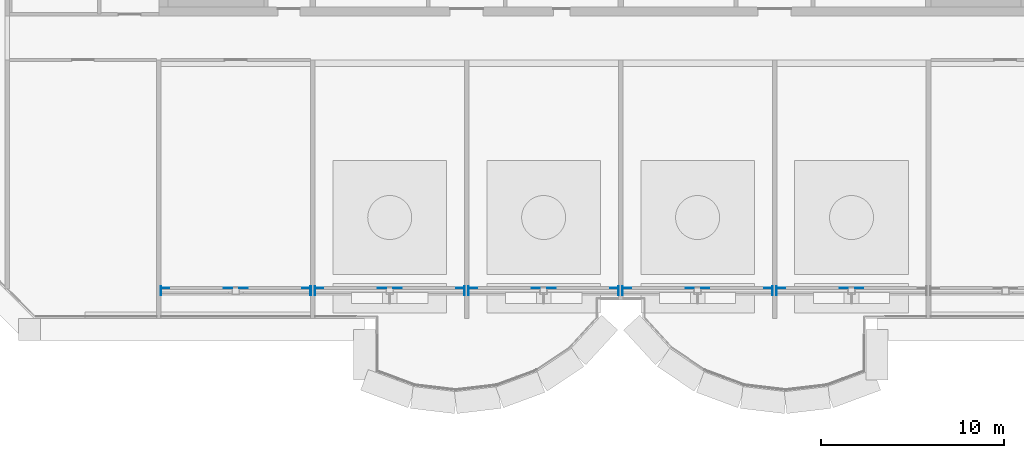
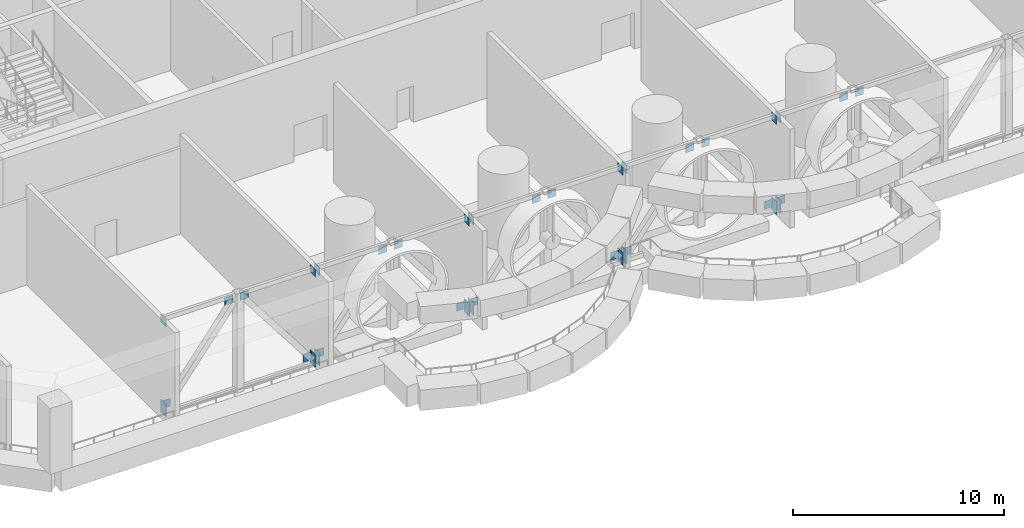
# One storey, part 6 of 15: 37 discrete accessories.
"""IFC4 building model written with IfcOpenShell, lengths in metres."""

from ifc_helpers import new_model, si_unit, direction, frame, origin, origin_2d, place, context, subcontext, project, spatial, rectangle, extrude, source, transform, mapped, material, layer, layer_set, type_object, element, save


model = new_model("IFC4")

# Units and contexts
model_context = context("Model", 3, precision=1e-05, world=origin(), true_north=direction((0.0, 1.0)))
body_context = subcontext(model_context, "Body", "Model", "MODEL_VIEW")
ifc_project = project(units=[si_unit("LENGTHUNIT", "METRE"), si_unit("AREAUNIT", "SQUARE_METRE"), si_unit("VOLUMEUNIT", "CUBIC_METRE"), si_unit("PLANEANGLEUNIT", "RADIAN"), si_unit("MASSUNIT", "GRAM", prefix="KILO")], contexts=[model_context])

# Site, building, storey
site_placement = place(None, origin())
site = spatial("IfcSite", under=ifc_project, at=site_placement, CompositionType="ELEMENT")
building_placement = place(site_placement, origin())
building = spatial("IfcBuilding", under=site, at=building_placement, Name="Vanashikhar Sky Hotel", CompositionType="ELEMENT")
storey_placement = place(building_placement, frame((0.0, 0.0, 317.699951171875)))
storey = spatial("IfcBuildingStorey", under=building, at=storey_placement, Name="L76", CompositionType="ELEMENT", Elevation=317.699951171875)

# Discrete accessories
ifc_material = material(Name="Steel S355", Category="steel")
ifc_layer_1 = layer(ifc_material, 0.030029296875)
ifc_layer_set_1 = layer_set([ifc_layer_1], Name="Cast-in anchor plate 500x750x30")
discrete_accessory_type_1 = type_object("IfcDiscreteAccessoryType", Name="Cast-in anchor plate 500x750x30", PredefinedType="ANCHORPLATE", material=ifc_layer_set_1)
shared_shape_1 = source(origin(), body_context, "Body", "SweptSolid", [
    extrude(rectangle(XDim=0.030029296875, YDim=0.5, at=origin_2d()), origin(), (0.0, 0.0, 1.0), 0.75),
])
for number, where, z_axis, x_axis, name in (
    (1, (25.31005859375, 7.0, 0.025146484375), (0.0, 0.0, 1.0), (1.0, 0.0, 0.0), "EP-L76-F01AB"),
    (2, (33.489990234375, 7.0, 0.025146484375), (0.0, 0.0, 1.0), (1.0, 0.0, 0.0), "EP-L76-F01BB"),
    (3, (33.7099609375, 7.0, 0.025146484375), (0.0, 0.0, 1.0), (1.0, 0.0, 0.0), "EP-L76-F02AB"),
    (4, (41.889892578125, 7.0, 0.025146484375), (0.0, 0.0, 1.0), (1.0, 0.0, 0.0), "EP-L76-F02BB"),
    (5, (42.110107421875, 7.0, 0.025146484375), (0.0, 0.0, 1.0), (1.0, 0.0, 0.0), "EP-L76-F03AB"),
    (6, (50.2900390625, 7.0, 0.025146484375), (0.0, 0.0, 1.0), (1.0, 0.0, 0.0), "EP-L76-F03BB"),
    (7, (50.510009765625, 7.0, 0.025146484375), (0.0, 0.0, 1.0), (1.0, 0.0, 0.0), "EP-L76-F04AB"),
    (8, (58.68994140625, 7.0, 0.025146484375), (0.0, 0.0, 1.0), (1.0, 0.0, 0.0), "EP-L76-F04BB"),
    (9, (58.909912109375, 7.0, 0.025146484375), (0.0, 0.0, 1.0), (1.0, 0.0, 0.0), "EP-L76-F05AB"),
):
    element("IfcDiscreteAccessory", number, at=place(storey_placement, frame(where, z_axis=z_axis, x_axis=x_axis)), inside=storey, type_object=discrete_accessory_type_1, Name=name, PredefinedType="ANCHORPLATE", context=body_context, shape_type="MappedRepresentation", body=[
        mapped(shared_shape_1, transform((0.0, 0.0, 0.0), scale=1.0)),
    ])
ifc_layer_2 = layer(ifc_material, 0.030029296875)
ifc_layer_set_2 = layer_set([ifc_layer_2], Name="Cast-in anchor plate 500x450x30")
discrete_accessory_type_2 = type_object("IfcDiscreteAccessoryType", Name="Cast-in anchor plate 500x450x30", PredefinedType="ANCHORPLATE", material=ifc_layer_set_2)
shared_shape_2 = source(origin(), body_context, "Body", "SweptSolid", [
    extrude(rectangle(XDim=0.030029296875, YDim=0.5, at=origin_2d()), origin(), (0.0, 0.0, 1.0), 0.449951171875),
])
for number, where, z_axis, x_axis, name in (
    (10, (25.31005859375, 7.0, 5.2451171875), (0.0, 0.0, 1.0), (1.0, 0.0, 0.0), "EP-L76-F01AT"),
    (11, (33.489990234375, 7.0, 5.2451171875), (0.0, 0.0, 1.0), (1.0, 0.0, 0.0), "EP-L76-F01BT"),
    (12, (33.7099609375, 7.0, 5.2451171875), (0.0, 0.0, 1.0), (1.0, 0.0, 0.0), "EP-L76-F02AT"),
    (13, (41.889892578125, 7.0, 5.2451171875), (0.0, 0.0, 1.0), (1.0, 0.0, 0.0), "EP-L76-F02BT"),
    (14, (42.110107421875, 7.0, 5.2451171875), (0.0, 0.0, 1.0), (1.0, 0.0, 0.0), "EP-L76-F03AT"),
    (15, (50.2900390625, 7.0, 5.2451171875), (0.0, 0.0, 1.0), (1.0, 0.0, 0.0), "EP-L76-F03BT"),
    (16, (50.510009765625, 7.0, 5.2451171875), (0.0, 0.0, 1.0), (1.0, 0.0, 0.0), "EP-L76-F04AT"),
    (17, (58.68994140625, 7.0, 5.2451171875), (0.0, 0.0, 1.0), (1.0, 0.0, 0.0), "EP-L76-F04BT"),
    (18, (58.909912109375, 7.0, 5.2451171875), (0.0, 0.0, 1.0), (1.0, 0.0, 0.0), "EP-L76-F05AT"),
):
    element("IfcDiscreteAccessory", number, at=place(storey_placement, frame(where, z_axis=z_axis, x_axis=x_axis)), inside=storey, type_object=discrete_accessory_type_2, Name=name, PredefinedType="ANCHORPLATE", context=body_context, shape_type="MappedRepresentation", body=[
        mapped(shared_shape_2, transform((0.0, 0.0, 0.0), scale=1.0)),
    ])
ifc_layer_3 = layer(ifc_material, 0.02001953125)
ifc_layer_set_3 = layer_set([ifc_layer_3], Name="Truss gusset plate 450x450x20")
discrete_accessory_type_3 = type_object("IfcDiscreteAccessoryType", Name="Truss gusset plate 450x450x20", PredefinedType="BRACKET", material=ifc_layer_set_3)
shared_shape_3 = source(origin(), body_context, "Body", "SweptSolid", [
    extrude(rectangle(XDim=0.449951171875, YDim=0.02001953125, at=origin_2d()), origin(), (0.0, 0.0, 1.0), 0.449951171875),
])
for number, where, z_axis, x_axis, name in (
    (19, (25.550048828125, 7.159912109375, 0.25), (0.0, 0.0, 1.0), (1.0, 0.0, 0.0), "GS-L76-F01LA"),
    (20, (28.97509765625, 7.159912109375, 5.02001953125), (0.0, 0.0, 1.0), (1.0, 0.0, 0.0), "GS-L76-F01LB"),
    (21, (33.25, 7.159912109375, 0.25), (0.0, 0.0, 1.0), (1.0, 0.0, 0.0), "GS-L76-F01RA"),
    (22, (29.824951171875, 7.159912109375, 5.02001953125), (0.0, 0.0, 1.0), (1.0, 0.0, 0.0), "GS-L76-F01RB"),
    (23, (33.949951171875, 7.159912109375, 0.25), (0.0, 0.0, 1.0), (1.0, 0.0, 0.0), "GS-L76-F02LA"),
    (24, (37.375, 7.159912109375, 5.02001953125), (0.0, 0.0, 1.0), (1.0, 0.0, 0.0), "GS-L76-F02LB"),
    (25, (41.64990234375, 7.159912109375, 0.25), (0.0, 0.0, 1.0), (1.0, 0.0, 0.0), "GS-L76-F02RA"),
    (26, (38.22509765625, 7.159912109375, 5.02001953125), (0.0, 0.0, 1.0), (1.0, 0.0, 0.0), "GS-L76-F02RB"),
    (27, (42.35009765625, 7.159912109375, 0.25), (0.0, 0.0, 1.0), (1.0, 0.0, 0.0), "GS-L76-F03LA"),
    (28, (45.77490234375, 7.159912109375, 5.02001953125), (0.0, 0.0, 1.0), (1.0, 0.0, 0.0), "GS-L76-F03LB"),
    (29, (50.050048828125, 7.159912109375, 0.25), (0.0, 0.0, 1.0), (1.0, 0.0, 0.0), "GS-L76-F03RA"),
    (30, (46.625, 7.159912109375, 5.02001953125), (0.0, 0.0, 1.0), (1.0, 0.0, 0.0), "GS-L76-F03RB"),
    (31, (50.75, 7.159912109375, 0.25), (0.0, 0.0, 1.0), (1.0, 0.0, 0.0), "GS-L76-F04LA"),
    (32, (54.175048828125, 7.159912109375, 5.02001953125), (0.0, 0.0, 1.0), (1.0, 0.0, 0.0), "GS-L76-F04LB"),
    (33, (58.449951171875, 7.159912109375, 0.25), (0.0, 0.0, 1.0), (1.0, 0.0, 0.0), "GS-L76-F04RA"),
    (34, (55.02490234375, 7.159912109375, 5.02001953125), (0.0, 0.0, 1.0), (1.0, 0.0, 0.0), "GS-L76-F04RB"),
    (35, (59.14990234375, 7.159912109375, 0.25), (0.0, 0.0, 1.0), (1.0, 0.0, 0.0), "GS-L76-F05LA"),
    (36, (62.574951171875, 7.159912109375, 5.02001953125), (0.0, 0.0, 1.0), (1.0, 0.0, 0.0), "GS-L76-F05LB"),
    (37, (63.425048828125, 7.159912109375, 5.02001953125), (0.0, 0.0, 1.0), (1.0, 0.0, 0.0), "GS-L76-F05RB"),
):
    element("IfcDiscreteAccessory", number, at=place(storey_placement, frame(where, z_axis=z_axis, x_axis=x_axis)), inside=storey, type_object=discrete_accessory_type_3, Name=name, PredefinedType="BRACKET", context=body_context, shape_type="MappedRepresentation", body=[
        mapped(shared_shape_3, transform((0.0, 0.0, 0.0), scale=1.0)),
    ])

save(model, "model.ifc")
